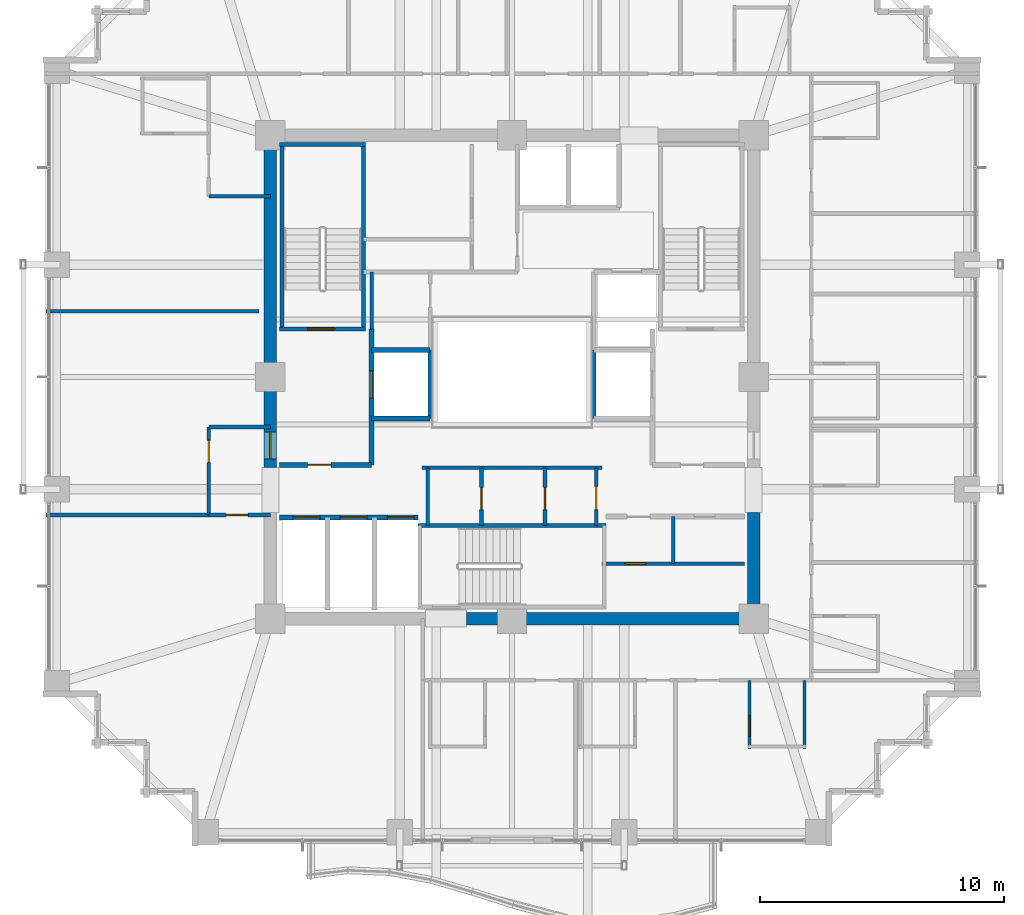
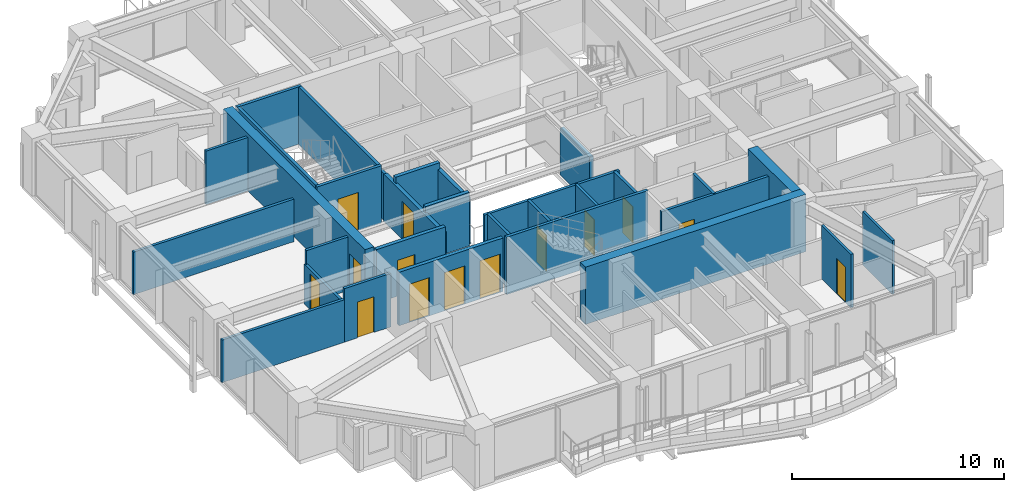
# One storey, part 28 of 34: 31 walls, 14 doors, 14 openings.
"""IFC4 building model written with IfcOpenShell, lengths in metres."""

from ifc_helpers import new_model, si_unit, direction, frame, frame_2d, origin, place, context, subcontext, project, spatial, rectangle, extrude, material, layer, layer_set, type_object, element, fill, save


model = new_model("IFC4")

# Units and contexts
model_context = context("Model", 3, precision=1e-05, world=origin(), true_north=direction((0.0, 1.0)))
body_context = subcontext(model_context, "Body", "Model", "MODEL_VIEW")
ifc_project = project(units=[si_unit("LENGTHUNIT", "METRE"), si_unit("AREAUNIT", "SQUARE_METRE"), si_unit("VOLUMEUNIT", "CUBIC_METRE"), si_unit("PLANEANGLEUNIT", "RADIAN"), si_unit("MASSUNIT", "GRAM", prefix="KILO")], contexts=[model_context])

# Site, building, storey
site_placement = place(None, origin())
site = spatial("IfcSite", under=ifc_project, at=site_placement, CompositionType="ELEMENT")
building_placement = place(site_placement, origin())
building = spatial("IfcBuilding", under=site, at=building_placement, Name="Kolvaren Belvedere", CompositionType="ELEMENT")
storey_placement = place(building_placement, frame((0.0, 0.0, 111.800048828125)))
storey = spatial("IfcBuildingStorey", under=building, at=storey_placement, Name="L32", CompositionType="ELEMENT", Elevation=111.800048828125)

# Walls
ifc_material_1 = material(Name="Concrete C50/60", Category="concrete")
ifc_layer_1 = layer(ifc_material_1, 0.5)
ifc_layer_set_1 = layer_set([ifc_layer_1], Name="Concrete C50/60")
wall_type_1 = type_object("IfcWallType", Name="CW-CORE-500", PredefinedType="SHEAR", material=ifc_layer_set_1)
wall_1_placement = place(storey_placement, frame((10.14990234375, -9.89990234375, 0.0), z_axis=(0.0, 0.0, 1.0), x_axis=(-1.0, 0.0, 0.0)))
element("IfcWall", 1, at=wall_1_placement, inside=storey, type_object=wall_type_1, Name="L32 South Core Shear Wall 1", PredefinedType="SHEAR", context=body_context, shape_type="SweptSolid", body=[
    extrude(rectangle(XDim=12.010009765625, YDim=0.5, at=frame_2d((6.0048828125, 0.0))), origin(), (0.0, 0.0, 1.0), 3.300048828125),
])
wall_2_placement = place(storey_placement, frame((9.89990234375, -9.64990234375, 0.0), z_axis=(0.0, 0.0, 1.0), x_axis=(0.0, 1.0, 0.0)))
element("IfcWall", 2, at=wall_2_placement, inside=storey, type_object=wall_type_1, Name="L32 East Core Shear Wall 1", PredefinedType="SHEAR", context=body_context, shape_type="SweptSolid", body=[
    extrude(rectangle(XDim=4.099853515625, YDim=0.5, at=frame_2d((2.0498046875, 0.0))), origin(), (0.0, 0.0, 1.0), 3.300048828125),
])

# Wall, opening, door
wall_3_placement = place(storey_placement, frame((-9.89990234375, -3.699951171875, 0.0), z_axis=(0.0, 0.0, 1.0), x_axis=(0.0, 1.0, 0.0)))
wall_3 = element("IfcWall", 3, at=wall_3_placement, inside=storey, type_object=wall_type_1, Name="L32 West Core Shear Wall 2", PredefinedType="SHEAR", context=body_context, shape_type="SweptSolid", body=[
    extrude(rectangle(XDim=13.349853515625, YDim=0.5, at=frame_2d((6.6748046875, 0.0))), origin(), (0.0, 0.0, 1.0), 3.300048828125),
])
opening_1_placement = place(wall_3_placement, frame((0.35009765625, 0.0, 0.0)))
opening_1 = element("IfcOpeningElement", 4, at=opening_1_placement, cuts=wall_3, Name="Opening D-FD90", PredefinedType="OPENING", context=body_context, shape_type="SweptSolid", body=[
    extrude(rectangle(XDim=1.10009765625, YDim=2.199951171875, at=frame_2d((0.550048828125, 1.10009765625))), frame((0.0, 0.260009765625, 0.0), z_axis=(0.0, -1.0, 0.0), x_axis=(1.0, 0.0, 0.0)), (0.0, 0.0, 1.0), 0.52001953125),
])
ifc_material_2 = material(Name="Painted hollow stainless steel", Category="steel")
door_type_1 = type_object("IfcDoorType", Name="DR-FD90-1100", OperationType="NOTDEFINED", PredefinedType="DOOR", material=ifc_material_2)
door_1_placement = place(opening_1_placement, origin())
door_1 = element("IfcDoor", 5, at=door_1_placement, inside=storey, type_object=door_type_1, Name="L32 West Firefighting Lobby Fire Door", OperationType="SINGLE_SWING_LEFT", OverallHeight=2.199951171875, OverallWidth=1.10009765625, PredefinedType="DOOR", context=body_context, shape_type="SweptSolid", body=[
    extrude(rectangle(XDim=1.10009765625, YDim=2.199951171875, at=frame_2d((0.550048828125, 1.10009765625))), frame((0.0, 0.02490234375, 0.0), z_axis=(0.0, -1.0, 0.0), x_axis=(1.0, 0.0, 0.0)), (0.0, 0.0, 1.0), 0.050048828125),
])
fill(opening_1, door_1)

ifc_material_3 = material(Name="Concrete C50/60", Category="concrete")
ifc_layer_2 = layer(ifc_material_3, 0.159912109375)
ifc_layer_set_2 = layer_set([ifc_layer_2], Name="Concrete C50/60")
wall_type_2 = type_object("IfcWallType", Name="CW-STAIR-160", PredefinedType="SHEAR", material=ifc_layer_set_2)
wall_4_placement = place(storey_placement, frame((-9.52001953125, 1.969970703125, 0.0), z_axis=(0.0, 0.0, 1.0), x_axis=(1.0, 0.0, 0.0)))
wall_4 = element("IfcWall", 6, at=wall_4_placement, inside=storey, type_object=wall_type_2, Name="L32 Stair ST-1 South Shear Wall", PredefinedType="SHEAR", context=body_context, shape_type="SweptSolid", body=[
    extrude(rectangle(XDim=3.52001953125, YDim=0.159912109375, at=frame_2d((1.760009765625, 0.0))), origin(), (0.0, 0.0, 1.0), 3.300048828125),
])
opening_2_placement = place(wall_4_placement, frame((1.14990234375, 0.0, 0.0)))
opening_2 = element("IfcOpeningElement", 7, at=opening_2_placement, cuts=wall_4, Name="Opening D-FD90", PredefinedType="OPENING", context=body_context, shape_type="SweptSolid", body=[
    extrude(rectangle(XDim=1.10009765625, YDim=2.199951171875, at=frame_2d((0.550048828125, 1.10009765625))), frame((0.0, 0.08984375, 0.0), z_axis=(0.0, -1.0, 0.0), x_axis=(1.0, 0.0, 0.0)), (0.0, 0.0, 1.0), 0.179931640625),
])
door_2_placement = place(opening_2_placement, origin())
door_2 = element("IfcDoor", 8, at=door_2_placement, inside=storey, type_object=door_type_1, Name="L32 Stair ST-1 Fire Door", OperationType="SINGLE_SWING_LEFT", OverallHeight=2.199951171875, OverallWidth=1.10009765625, PredefinedType="DOOR", context=body_context, shape_type="SweptSolid", body=[
    extrude(rectangle(XDim=1.10009765625, YDim=2.199951171875, at=frame_2d((0.550048828125, 1.10009765625))), frame((0.0, 0.02490234375, 0.0), z_axis=(0.0, -1.0, 0.0), x_axis=(1.0, 0.0, 0.0)), (0.0, 0.0, 1.0), 0.050048828125),
])
fill(opening_2, door_2)

# Walls
wall_5_placement = place(storey_placement, frame((-9.52001953125, 9.530029296875, 0.0), z_axis=(0.0, 0.0, 1.0), x_axis=(1.0, 0.0, 0.0)))
element("IfcWall", 9, at=wall_5_placement, inside=storey, type_object=wall_type_2, Name="L32 Stair ST-1 North Shear Wall", PredefinedType="SHEAR", context=body_context, shape_type="SweptSolid", body=[
    extrude(rectangle(XDim=3.52001953125, YDim=0.159912109375, at=frame_2d((1.760009765625, 0.0))), origin(), (0.0, 0.0, 1.0), 3.300048828125),
])
for number, where, z_axis, x_axis, name in (
    (10, (-9.429931640625, 1.969970703125, 0.0), (0.0, 0.0, 1.0), (0.0, 1.0, 0.0), "L32 Stair ST-1 West Shear Wall"),
    (11, (-6.080078125, 1.969970703125, 0.0), (0.0, 0.0, 1.0), (0.0, 1.0, 0.0), "L32 Stair ST-1 East Shear Wall"),
):
    element("IfcWall", number, at=place(storey_placement, frame(where, z_axis=z_axis, x_axis=x_axis)), inside=storey, type_object=wall_type_2, Name=name, PredefinedType="SHEAR", context=body_context, shape_type="SweptSolid", body=[
        extrude(rectangle(XDim=7.56005859375, YDim=0.159912109375, at=frame_2d((3.780029296875, 0.0))), origin(), (0.0, 0.0, 1.0), 3.300048828125),
    ])
wall_6_placement = place(storey_placement, frame((-3.860107421875, -6.080078125, 0.0), z_axis=(0.0, 0.0, 1.0), x_axis=(1.0, 0.0, 0.0)))
element("IfcWall", 12, at=wall_6_placement, inside=storey, type_object=wall_type_2, Name="L32 Stair ST-3 North Shear Wall", PredefinedType="SHEAR", context=body_context, shape_type="SweptSolid", body=[
    extrude(rectangle(XDim=7.72021484375, YDim=0.159912109375, at=frame_2d((3.860107421875, 0.0))), origin(), (0.0, 0.0, 1.0), 3.300048828125),
])
ifc_material_4 = material(Name="Gypsum fire-rated partition assembly", Category="gypsum")
ifc_layer_3 = layer(ifc_material_4, 0.14990234375)
ifc_layer_set_3 = layer_set([ifc_layer_3], Name="Gypsum fire-rated partition assembly")
wall_type_3 = type_object("IfcWallType", Name="WL-CORR-150", PredefinedType="PARTITIONING", material=ifc_layer_set_3)
wall_7_placement = place(storey_placement, frame((-12.419921875, 7.39990234375, 0.0), z_axis=(0.0, 0.0, 1.0), x_axis=(1.0, 0.0, 0.0)))
element("IfcWall", 13, at=wall_7_placement, inside=storey, type_object=wall_type_3, Name="L32 NW Core Closure Wall", PredefinedType="PARTITIONING", context=body_context, shape_type="SweptSolid", body=[
    extrude(rectangle(XDim=2.52001953125, YDim=0.14990234375, at=frame_2d((1.260009765625, 0.0))), origin(), (0.0, 0.0, 1.0), 3.079833984375),
])

# Wall, opening, door
wall_8_placement = place(storey_placement, frame((-12.419921875, -5.64990234375, 0.0), z_axis=(0.0, 0.0, 1.0), x_axis=(0.0, 1.0, 0.0)))
wall_8 = element("IfcWall", 14, at=wall_8_placement, inside=storey, type_object=wall_type_3, Name="L32 West FSAE Pocket Wall", PredefinedType="PARTITIONING", context=body_context, shape_type="SweptSolid", body=[
    extrude(rectangle(XDim=3.599853515625, YDim=0.14990234375, at=frame_2d((1.7998046875, 0.0))), origin(), (0.0, 0.0, 1.0), 2.2919921875),
])
opening_3_placement = place(wall_8_placement, frame((2.15625, 0.0, 0.0)))
opening_3 = element("IfcOpeningElement", 15, at=opening_3_placement, cuts=wall_8, Name="Opening D-INT90", PredefinedType="OPENING", context=body_context, shape_type="SweptSolid", body=[
    extrude(rectangle(XDim=0.89990234375, YDim=2.06005859375, at=frame_2d((0.449951171875, 1.030029296875))), frame((0.0, 0.0849609375, 0.0), z_axis=(0.0, -1.0, 0.0), x_axis=(1.0, 0.0, 0.0)), (0.0, 0.0, 1.0), 0.169921875),
])
ifc_material_5 = material(Name="Stained Pacific white oak", Category="timber")
door_type_2 = type_object("IfcDoorType", Name="DR-INT-900", OperationType="NOTDEFINED", PredefinedType="DOOR", material=ifc_material_5)
door_3_placement = place(opening_3_placement, origin())
door_3 = element("IfcDoor", 16, at=door_3_placement, inside=storey, type_object=door_type_2, Name="L32 Lounge 3211 Door", OperationType="SINGLE_SWING_LEFT", OverallHeight=2.06005859375, OverallWidth=0.89990234375, PredefinedType="DOOR", context=body_context, shape_type="SweptSolid", body=[
    extrude(rectangle(XDim=0.89990234375, YDim=2.06005859375, at=frame_2d((0.449951171875, 1.030029296875))), frame((0.0, 0.02490234375, 0.0), z_axis=(0.0, -1.0, 0.0), x_axis=(1.0, 0.0, 0.0)), (0.0, 0.0, 1.0), 0.050048828125),
])
fill(opening_3, door_3)

# Wall
wall_9_placement = place(storey_placement, frame((-12.419921875, -2.050048828125, 0.0), z_axis=(0.0, 0.0, 1.0), x_axis=(1.0, 0.0, 0.0)))
element("IfcWall", 17, at=wall_9_placement, inside=storey, type_object=wall_type_3, Name="L32 West Pocket North Closure Wall", PredefinedType="PARTITIONING", context=body_context, shape_type="SweptSolid", body=[
    extrude(rectangle(XDim=2.52001953125, YDim=0.14990234375, at=frame_2d((1.260009765625, 0.0))), origin(), (0.0, 0.0, 1.0), 3.079833984375),
])

# Wall, opening, door
wall_10_placement = place(storey_placement, frame((-12.419921875, -5.64990234375, 0.0), z_axis=(0.0, 0.0, 1.0), x_axis=(1.0, 0.0, 0.0)))
wall_10 = element("IfcWall", 18, at=wall_10_placement, inside=storey, type_object=wall_type_3, Name="L32 West Pocket South Closure Wall", PredefinedType="PARTITIONING", context=body_context, shape_type="SweptSolid", body=[
    extrude(rectangle(XDim=2.52001953125, YDim=0.14990234375, at=frame_2d((1.260009765625, 0.0))), origin(), (0.0, 0.0, 1.0), 3.079833984375),
])
opening_4_placement = place(wall_10_placement, frame((0.705078125, 0.0, 0.0)))
opening_4 = element("IfcOpeningElement", 19, at=opening_4_placement, cuts=wall_10, Name="Opening D-INT90", PredefinedType="OPENING", context=body_context, shape_type="SweptSolid", body=[
    extrude(rectangle(XDim=0.89990234375, YDim=2.06005859375, at=frame_2d((0.449951171875, 1.030029296875))), frame((0.0, 0.0849609375, 0.0), z_axis=(0.0, -1.0, 0.0), x_axis=(1.0, 0.0, 0.0)), (0.0, 0.0, 1.0), 0.169921875),
])
door_4_placement = place(opening_4_placement, origin())
door_4 = element("IfcDoor", 20, at=door_4_placement, inside=storey, type_object=door_type_2, Name="L32 Lounge 3212 Door", OperationType="SINGLE_SWING_RIGHT", OverallHeight=2.06005859375, OverallWidth=0.89990234375, PredefinedType="DOOR", context=body_context, shape_type="SweptSolid", body=[
    extrude(rectangle(XDim=0.89990234375, YDim=2.06005859375, at=frame_2d((0.449951171875, 1.030029296875))), frame((0.0, 0.02490234375, 0.0), z_axis=(0.0, -1.0, 0.0), x_axis=(1.0, 0.0, 0.0)), (0.0, 0.0, 1.0), 0.050048828125),
])
fill(opening_4, door_4)

ifc_material_6 = material(Name="Gypsum acoustic partition assembly", Category="gypsum")
ifc_layer_4 = layer(ifc_material_6, 0.14990234375)
ifc_layer_set_4 = layer_set([ifc_layer_4], Name="Gypsum acoustic partition assembly")
wall_type_4 = type_object("IfcWallType", Name="WL-PART-150", PredefinedType="PARTITIONING", material=ifc_layer_set_4)
wall_11_placement = place(storey_placement, frame((3.679931640625, -7.64990234375, 0.0), z_axis=(0.0, 0.0, 1.0), x_axis=(1.0, 0.0, 0.0)))
wall_11 = element("IfcWall", 21, at=wall_11_placement, inside=storey, type_object=wall_type_4, Name="L32 SE Core H-Divider", PredefinedType="PARTITIONING", context=body_context, shape_type="SweptSolid", body=[
    extrude(rectangle(XDim=5.840087890625, YDim=0.14990234375, at=frame_2d((2.919921875, 0.0))), origin(), (0.0, 0.0, 1.0), 3.079833984375),
])
opening_5_placement = place(wall_11_placement, frame((0.949951171875, 0.0, 0.0)))
opening_5 = element("IfcOpeningElement", 22, at=opening_5_placement, cuts=wall_11, Name="Opening D-INT85", PredefinedType="OPENING", context=body_context, shape_type="SweptSolid", body=[
    extrude(rectangle(XDim=0.85009765625, YDim=2.030029296875, at=frame_2d((0.425048828125, 1.01513671875))), frame((0.0, 0.0849609375, 0.0), z_axis=(0.0, -1.0, 0.0), x_axis=(1.0, 0.0, 0.0)), (0.0, 0.0, 1.0), 0.169921875),
])
ifc_material_7 = material(Name="Stained Pacific white oak", Category="timber")
door_type_3 = type_object("IfcDoorType", Name="DR-INT-850", OperationType="NOTDEFINED", PredefinedType="DOOR", material=ifc_material_7)
door_5_placement = place(opening_5_placement, origin())
door_5 = element("IfcDoor", 23, at=door_5_placement, inside=storey, type_object=door_type_3, Name="L32 SE Fibre Door", OperationType="SINGLE_SWING_RIGHT", OverallHeight=2.030029296875, OverallWidth=0.85009765625, PredefinedType="DOOR", context=body_context, shape_type="SweptSolid", body=[
    extrude(rectangle(XDim=0.85009765625, YDim=2.030029296875, at=frame_2d((0.425048828125, 1.01513671875))), frame((0.0, 0.02490234375, 0.0), z_axis=(0.0, -1.0, 0.0), x_axis=(1.0, 0.0, 0.0)), (0.0, 0.0, 1.0), 0.050048828125),
])
fill(opening_5, door_5)

# Walls
wall_12_placement = place(storey_placement, frame((6.60009765625, -7.64990234375, 0.0), z_axis=(0.0, 0.0, 1.0), x_axis=(0.0, 1.0, 0.0)))
element("IfcWall", 24, at=wall_12_placement, inside=storey, type_object=wall_type_4, Name="L32 SE Core V-Divider", PredefinedType="PARTITIONING", context=body_context, shape_type="SweptSolid", body=[
    extrude(rectangle(XDim=1.929931640625, YDim=0.14990234375, at=frame_2d((0.96484375, 0.0))), origin(), (0.0, 0.0, 1.0), 3.079833984375),
])
wall_13_placement = place(storey_placement, frame((-3.679931640625, -3.719970703125, 0.0), z_axis=(0.0, 0.0, 1.0), x_axis=(1.0, 0.0, 0.0)))
element("IfcWall", 25, at=wall_13_placement, inside=storey, type_object=wall_type_4, Name="L32 South Core Service North Wall", PredefinedType="PARTITIONING", context=body_context, shape_type="SweptSolid", body=[
    extrude(rectangle(XDim=7.35986328125, YDim=0.14990234375, at=frame_2d((3.679931640625, 0.0))), origin(), (0.0, 0.0, 1.0), 3.079833984375),
])

# Wall, opening, door
wall_14_placement = place(storey_placement, frame((3.449951171875, -6.080078125, 0.0), z_axis=(0.0, 0.0, 1.0), x_axis=(0.0, 1.0, 0.0)))
wall_14 = element("IfcWall", 26, at=wall_14_placement, inside=storey, type_object=wall_type_4, Name="L32 South Core Service East Wall", PredefinedType="PARTITIONING", context=body_context, shape_type="SweptSolid", body=[
    extrude(rectangle(XDim=2.360107421875, YDim=0.14990234375, at=frame_2d((1.18017578125, 0.0))), origin(), (0.0, 0.0, 1.0), 3.079833984375),
])
opening_6_placement = place(wall_14_placement, frame((0.64990234375, 0.0, 0.0)))
opening_6 = element("IfcOpeningElement", 27, at=opening_6_placement, cuts=wall_14, Name="Opening D-FD60", PredefinedType="OPENING", context=body_context, shape_type="SweptSolid", body=[
    extrude(rectangle(XDim=0.949951171875, YDim=2.06005859375, at=frame_2d((0.47509765625, 1.030029296875))), frame((0.0, 0.0849609375, 0.0), z_axis=(0.0, -1.0, 0.0), x_axis=(1.0, 0.0, 0.0)), (0.0, 0.0, 1.0), 0.169921875),
])
ifc_material_8 = material(Name="Acoustic white-oak fire door leaf", Category="timber")
door_type_4 = type_object("IfcDoorType", Name="DR-FD60-950", OperationType="NOTDEFINED", PredefinedType="DOOR", material=ifc_material_8)
door_6_placement = place(opening_6_placement, origin())
door_6 = element("IfcDoor", 28, at=door_6_placement, inside=storey, type_object=door_type_4, Name="L32 Core Service Room Door", OperationType="SINGLE_SWING_LEFT", OverallHeight=2.06005859375, OverallWidth=0.949951171875, PredefinedType="DOOR", context=body_context, shape_type="SweptSolid", body=[
    extrude(rectangle(XDim=0.949951171875, YDim=2.06005859375, at=frame_2d((0.47509765625, 1.030029296875))), frame((0.0, 0.02490234375, 0.0), z_axis=(0.0, -1.0, 0.0), x_axis=(1.0, 0.0, 0.0)), (0.0, 0.0, 1.0), 0.050048828125),
])
fill(opening_6, door_6)

# Wall
wall_15_placement = place(storey_placement, frame((-3.449951171875, -6.080078125, 0.0), z_axis=(0.0, 0.0, 1.0), x_axis=(0.0, 1.0, 0.0)))
element("IfcWall", 29, at=wall_15_placement, inside=storey, type_object=wall_type_4, Name="L32 South Core Service West Wall", PredefinedType="PARTITIONING", context=body_context, shape_type="SweptSolid", body=[
    extrude(rectangle(XDim=2.360107421875, YDim=0.14990234375, at=frame_2d((1.18017578125, 0.0))), origin(), (0.0, 0.0, 1.0), 3.079833984375),
])

# Wall, opening, door
wall_16_placement = place(storey_placement, frame((1.35009765625, -6.080078125, 0.0), z_axis=(0.0, 0.0, 1.0), x_axis=(0.0, 1.0, 0.0)))
wall_16 = element("IfcWall", 30, at=wall_16_placement, inside=storey, type_object=wall_type_4, Name="L32 Core Service Divider 1", PredefinedType="PARTITIONING", context=body_context, shape_type="SweptSolid", body=[
    extrude(rectangle(XDim=2.360107421875, YDim=0.14990234375, at=frame_2d((1.18017578125, 0.0))), origin(), (0.0, 0.0, 1.0), 3.079833984375),
])
opening_7_placement = place(wall_16_placement, frame((0.64990234375, 0.0, 0.0)))
opening_7 = element("IfcOpeningElement", 31, at=opening_7_placement, cuts=wall_16, Name="Opening D-INT90", PredefinedType="OPENING", context=body_context, shape_type="SweptSolid", body=[
    extrude(rectangle(XDim=0.89990234375, YDim=2.06005859375, at=frame_2d((0.449951171875, 1.030029296875))), frame((0.0, 0.0849609375, 0.0), z_axis=(0.0, -1.0, 0.0), x_axis=(1.0, 0.0, 0.0)), (0.0, 0.0, 1.0), 0.169921875),
])
door_7_placement = place(opening_7_placement, origin())
door_7 = element("IfcDoor", 32, at=door_7_placement, inside=storey, type_object=door_type_2, Name="L32 Data Closet Door", OperationType="SINGLE_SWING_RIGHT", OverallHeight=2.06005859375, OverallWidth=0.89990234375, PredefinedType="DOOR", context=body_context, shape_type="SweptSolid", body=[
    extrude(rectangle(XDim=0.89990234375, YDim=2.06005859375, at=frame_2d((0.449951171875, 1.030029296875))), frame((0.0, 0.02490234375, 0.0), z_axis=(0.0, -1.0, 0.0), x_axis=(1.0, 0.0, 0.0)), (0.0, 0.0, 1.0), 0.050048828125),
])
fill(opening_7, door_7)

wall_17_placement = place(storey_placement, frame((-1.25, -6.080078125, 0.0), z_axis=(0.0, 0.0, 1.0), x_axis=(0.0, 1.0, 0.0)))
wall_17 = element("IfcWall", 33, at=wall_17_placement, inside=storey, type_object=wall_type_4, Name="L32 Core Service Divider 2", PredefinedType="PARTITIONING", context=body_context, shape_type="SweptSolid", body=[
    extrude(rectangle(XDim=2.360107421875, YDim=0.14990234375, at=frame_2d((1.18017578125, 0.0))), origin(), (0.0, 0.0, 1.0), 3.079833984375),
])
opening_8_placement = place(wall_17_placement, frame((0.64990234375, 0.0, 0.0)))
opening_8 = element("IfcOpeningElement", 34, at=opening_8_placement, cuts=wall_17, Name="Opening D-INT90", PredefinedType="OPENING", context=body_context, shape_type="SweptSolid", body=[
    extrude(rectangle(XDim=0.89990234375, YDim=2.06005859375, at=frame_2d((0.449951171875, 1.030029296875))), frame((0.0, 0.0849609375, 0.0), z_axis=(0.0, -1.0, 0.0), x_axis=(1.0, 0.0, 0.0)), (0.0, 0.0, 1.0), 0.169921875),
])
door_8_placement = place(opening_8_placement, origin())
door_8 = element("IfcDoor", 35, at=door_8_placement, inside=storey, type_object=door_type_2, Name="L32 Janitor Room Door", OperationType="SINGLE_SWING_LEFT", OverallHeight=2.06005859375, OverallWidth=0.89990234375, PredefinedType="DOOR", context=body_context, shape_type="SweptSolid", body=[
    extrude(rectangle(XDim=0.89990234375, YDim=2.06005859375, at=frame_2d((0.449951171875, 1.030029296875))), frame((0.0, 0.02490234375, 0.0), z_axis=(0.0, -1.0, 0.0), x_axis=(1.0, 0.0, 0.0)), (0.0, 0.0, 1.0), 0.050048828125),
])
fill(opening_8, door_8)

# Walls
wall_18_placement = place(storey_placement, frame((-5.75, 1.969970703125, 0.0), z_axis=(0.0, 0.0, 1.0), x_axis=(0.0, 1.0, 0.0)))
element("IfcWall", 36, at=wall_18_placement, inside=storey, type_object=wall_type_4, Name="L32 NW Service Room West Wall", PredefinedType="PARTITIONING", context=body_context, shape_type="SweptSolid", body=[
    extrude(rectangle(XDim=2.330078125, YDim=0.14990234375, at=frame_2d((1.1650390625, 0.0))), origin(), (0.0, 0.0, 1.0), 2.71484375),
])
wall_19_placement = place(storey_placement, frame((-19.080078125, 2.699951171875, 0.0), z_axis=(0.0, 0.0, 1.0), x_axis=(1.0, 0.0, 0.0)))
element("IfcWall", 37, at=wall_19_placement, inside=storey, type_object=wall_type_4, Name="L32 West Upper Suite Divider", PredefinedType="PARTITIONING", context=body_context, shape_type="SweptSolid", body=[
    extrude(rectangle(XDim=8.719970703125, YDim=0.14990234375, at=frame_2d((4.35986328125, 0.0))), origin(), (0.0, 0.0, 1.0), 2.448974609375),
])
wall_20_placement = place(storey_placement, frame((-19.080078125, -5.64990234375, 0.0), z_axis=(0.0, 0.0, 1.0), x_axis=(1.0, 0.0, 0.0)))
element("IfcWall", 38, at=wall_20_placement, inside=storey, type_object=wall_type_4, Name="L32 West Mid Suite South Wall", PredefinedType="PARTITIONING", context=body_context, shape_type="SweptSolid", body=[
    extrude(rectangle(XDim=6.66015625, YDim=0.14990234375, at=frame_2d((3.330078125, 0.0))), origin(), (0.0, 0.0, 1.0), 2.448974609375),
])

# Wall, opening, door
ifc_material_9 = material(Name="Concrete C50/60", Category="concrete")
ifc_layer_5 = layer(ifc_material_9, 0.199951171875)
ifc_layer_set_5 = layer_set([ifc_layer_5], Name="Concrete C50/60")
wall_type_5 = type_object("IfcWallType", Name="WL-SHAFT-200", PredefinedType="SOLIDWALL", material=ifc_layer_set_5)
wall_21_placement = place(storey_placement, frame((-9.52001953125, -3.60009765625, 0.0), z_axis=(0.0, 0.0, 1.0), x_axis=(1.0, 0.0, 0.0)))
wall_21 = element("IfcWall", 39, at=wall_21_placement, inside=storey, type_object=wall_type_5, Name="L32 West FSAE Lobby South Wall", PredefinedType="SOLIDWALL", context=body_context, shape_type="SweptSolid", body=[
    extrude(rectangle(XDim=3.77001953125, YDim=0.199951171875, at=frame_2d((1.885009765625, 0.0))), origin(), (0.0, 0.0, 1.0), 3.079833984375),
])
opening_9_placement = place(wall_21_placement, frame((1.14990234375, 0.0, 0.0)))
opening_9 = element("IfcOpeningElement", 40, at=opening_9_placement, cuts=wall_21, Name="Opening D-FD60", PredefinedType="OPENING", context=body_context, shape_type="SweptSolid", body=[
    extrude(rectangle(XDim=0.949951171875, YDim=2.06005859375, at=frame_2d((0.47509765625, 1.030029296875))), frame((0.0, 0.10986328125, 0.0), z_axis=(0.0, -1.0, 0.0), x_axis=(1.0, 0.0, 0.0)), (0.0, 0.0, 1.0), 0.219970703125),
])
door_9_placement = place(opening_9_placement, origin())
door_9 = element("IfcDoor", 41, at=door_9_placement, inside=storey, type_object=door_type_4, Name="L32 Mid-Rise Lift Lobby Fire Door", OperationType="SINGLE_SWING_LEFT", OverallHeight=2.06005859375, OverallWidth=0.949951171875, PredefinedType="DOOR", context=body_context, shape_type="SweptSolid", body=[
    extrude(rectangle(XDim=0.949951171875, YDim=2.06005859375, at=frame_2d((0.47509765625, 1.030029296875))), frame((0.0, 0.02490234375, 0.0), z_axis=(0.0, -1.0, 0.0), x_axis=(1.0, 0.0, 0.0)), (0.0, 0.0, 1.0), 0.050048828125),
])
fill(opening_9, door_9)

wall_22_placement = place(storey_placement, frame((-5.75, -3.60009765625, 0.0), z_axis=(0.0, 0.0, 1.0), x_axis=(0.0, 1.0, 0.0)))
wall_22 = element("IfcWall", 42, at=wall_22_placement, inside=storey, type_object=wall_type_5, Name="L32 FSAE FS1 Landing Wall", PredefinedType="SOLIDWALL", context=body_context, shape_type="SweptSolid", body=[
    extrude(rectangle(XDim=5.570068359375, YDim=0.199951171875, at=frame_2d((2.78515625, 0.0))), origin(), (0.0, 0.0, 1.0), 2.71484375),
])
opening_10_placement = place(wall_22_placement, frame((2.75, 0.0, 0.0)))
opening_10 = element("IfcOpeningElement", 43, at=opening_10_placement, cuts=wall_22, Name="Opening LD-11", PredefinedType="OPENING", context=body_context, shape_type="SweptSolid", body=[
    extrude(rectangle(XDim=1.10009765625, YDim=2.199951171875, at=frame_2d((0.550048828125, 1.10009765625))), frame((0.0, 0.10986328125, 0.0), z_axis=(0.0, -1.0, 0.0), x_axis=(1.0, 0.0, 0.0)), (0.0, 0.0, 1.0), 0.219970703125),
])
ifc_material_10 = material(Name="Brushed stainless steel", Category="steel")
door_type_5 = type_object("IfcDoorType", Name="DR-LIFT-1100", OperationType="DOUBLE_DOOR_SLIDING", PredefinedType="DOOR", material=ifc_material_10)
door_10_placement = place(opening_10_placement, origin())
door_10 = element("IfcDoor", 44, at=door_10_placement, inside=storey, type_object=door_type_5, Name="L32 Firefighting Lift FS1 Landing Door", OperationType="DOUBLE_DOOR_SLIDING", OverallHeight=2.199951171875, OverallWidth=1.10009765625, PredefinedType="DOOR", context=body_context, shape_type="SweptSolid", body=[
    extrude(rectangle(XDim=1.10009765625, YDim=2.199951171875, at=frame_2d((0.550048828125, 1.10009765625))), frame((0.0, 0.02490234375, 0.0), z_axis=(0.0, -1.0, 0.0), x_axis=(1.0, 0.0, 0.0)), (0.0, 0.0, 1.0), 0.050048828125),
])
fill(opening_10, door_10)

# Walls
wall_23_placement = place(storey_placement, frame((-3.35009765625, -1.699951171875, 0.0), z_axis=(0.0, 0.0, 1.0), x_axis=(0.0, 1.0, 0.0)))
element("IfcWall", 45, at=wall_23_placement, inside=storey, type_object=wall_type_5, Name="L32 FSAE FS1 Back Wall", PredefinedType="SOLIDWALL", context=body_context, shape_type="SweptSolid", body=[
    extrude(rectangle(XDim=2.800048828125, YDim=0.199951171875, at=frame_2d((1.39990234375, 0.0))), origin(), (0.0, 0.0, 1.0), 2.71484375),
])
for number, where, z_axis, x_axis, name in (
    (46, (-5.75, -1.699951171875, 0.0), (0.0, 0.0, 1.0), (1.0, 0.0, 0.0), "L32 FSAE FS1 South Wall"),
    (47, (-5.75, 1.10009765625, 0.0), (0.0, 0.0, 1.0), (1.0, 0.0, 0.0), "L32 FSAE FS1 North Wall"),
):
    element("IfcWall", number, at=place(storey_placement, frame(where, z_axis=z_axis, x_axis=x_axis)), inside=storey, type_object=wall_type_5, Name=name, PredefinedType="SOLIDWALL", context=body_context, shape_type="SweptSolid", body=[
        extrude(rectangle(XDim=2.39990234375, YDim=0.199951171875, at=frame_2d((1.199951171875, 0.0))), origin(), (0.0, 0.0, 1.0), 3.079833984375),
    ])
wall_24_placement = place(storey_placement, frame((3.35009765625, -1.699951171875, 0.0), z_axis=(0.0, 0.0, 1.0), x_axis=(0.0, 1.0, 0.0)))
element("IfcWall", 48, at=wall_24_placement, inside=storey, type_object=wall_type_5, Name="L32 FSAE FS2 Back Wall", PredefinedType="SOLIDWALL", context=body_context, shape_type="SweptSolid", body=[
    extrude(rectangle(XDim=2.800048828125, YDim=0.199951171875, at=frame_2d((1.39990234375, 0.0))), origin(), (0.0, 0.0, 1.0), 2.71484375),
])

# Wall, openings, doors
wall_25_placement = place(storey_placement, frame((-9.52001953125, -5.75, 0.0), z_axis=(0.0, 0.0, 1.0), x_axis=(1.0, 0.0, 0.0)))
wall_25 = element("IfcWall", 49, at=wall_25_placement, inside=storey, type_object=wall_type_5, Name="L32 Mid-Rise Lift Bank Front Wall", PredefinedType="SOLIDWALL", context=body_context, shape_type="SweptSolid", body=[
    extrude(rectangle(XDim=5.659912109375, YDim=0.199951171875, at=frame_2d((2.830078125, 0.0))), origin(), (0.0, 0.0, 1.0), 3.079833984375),
])
opening_11_placement = place(wall_25_placement, frame((0.550048828125, 0.0, 0.0)))
opening_11 = element("IfcOpeningElement", 50, at=opening_11_placement, cuts=wall_25, Name="Opening LD-11", PredefinedType="OPENING", context=body_context, shape_type="SweptSolid", body=[
    extrude(rectangle(XDim=1.10009765625, YDim=2.199951171875, at=frame_2d((0.550048828125, 1.10009765625))), frame((0.0, 0.10986328125, 0.0), z_axis=(0.0, -1.0, 0.0), x_axis=(1.0, 0.0, 0.0)), (0.0, 0.0, 1.0), 0.219970703125),
])
opening_12_placement = place(wall_25_placement, frame((2.47998046875, 0.0, 0.0)))
opening_12 = element("IfcOpeningElement", 51, at=opening_12_placement, cuts=wall_25, Name="Opening LD-11", PredefinedType="OPENING", context=body_context, shape_type="SweptSolid", body=[
    extrude(rectangle(XDim=1.10009765625, YDim=2.199951171875, at=frame_2d((0.550048828125, 1.10009765625))), frame((0.0, 0.10986328125, 0.0), z_axis=(0.0, -1.0, 0.0), x_axis=(1.0, 0.0, 0.0)), (0.0, 0.0, 1.0), 0.219970703125),
])
opening_13_placement = place(wall_25_placement, frame((4.409912109375, 0.0, 0.0)))
opening_13 = element("IfcOpeningElement", 52, at=opening_13_placement, cuts=wall_25, Name="Opening LD-11", PredefinedType="OPENING", context=body_context, shape_type="SweptSolid", body=[
    extrude(rectangle(XDim=1.10009765625, YDim=2.199951171875, at=frame_2d((0.550048828125, 1.10009765625))), frame((0.0, 0.10986328125, 0.0), z_axis=(0.0, -1.0, 0.0), x_axis=(1.0, 0.0, 0.0)), (0.0, 0.0, 1.0), 0.219970703125),
])
door_11_placement = place(opening_11_placement, origin())
door_11 = element("IfcDoor", 53, at=door_11_placement, inside=storey, type_object=door_type_5, Name="L32 Passenger Lift P4 Landing Door", OperationType="DOUBLE_DOOR_SLIDING", OverallHeight=2.199951171875, OverallWidth=1.10009765625, PredefinedType="DOOR", context=body_context, shape_type="SweptSolid", body=[
    extrude(rectangle(XDim=1.10009765625, YDim=2.199951171875, at=frame_2d((0.550048828125, 1.10009765625))), frame((0.0, 0.02490234375, 0.0), z_axis=(0.0, -1.0, 0.0), x_axis=(1.0, 0.0, 0.0)), (0.0, 0.0, 1.0), 0.050048828125),
])
fill(opening_11, door_11)
door_12_placement = place(opening_12_placement, origin())
door_12 = element("IfcDoor", 54, at=door_12_placement, inside=storey, type_object=door_type_5, Name="L32 Passenger Lift P5 Landing Door", OperationType="DOUBLE_DOOR_SLIDING", OverallHeight=2.199951171875, OverallWidth=1.10009765625, PredefinedType="DOOR", context=body_context, shape_type="SweptSolid", body=[
    extrude(rectangle(XDim=1.10009765625, YDim=2.199951171875, at=frame_2d((0.550048828125, 1.10009765625))), frame((0.0, 0.02490234375, 0.0), z_axis=(0.0, -1.0, 0.0), x_axis=(1.0, 0.0, 0.0)), (0.0, 0.0, 1.0), 0.050048828125),
])
fill(opening_12, door_12)
door_13_placement = place(opening_13_placement, origin())
door_13 = element("IfcDoor", 55, at=door_13_placement, inside=storey, type_object=door_type_5, Name="L32 Passenger Lift P6 Landing Door", OperationType="DOUBLE_DOOR_SLIDING", OverallHeight=2.199951171875, OverallWidth=1.10009765625, PredefinedType="DOOR", context=body_context, shape_type="SweptSolid", body=[
    extrude(rectangle(XDim=1.10009765625, YDim=2.199951171875, at=frame_2d((0.550048828125, 1.10009765625))), frame((0.0, 0.02490234375, 0.0), z_axis=(0.0, -1.0, 0.0), x_axis=(1.0, 0.0, 0.0)), (0.0, 0.0, 1.0), 0.050048828125),
])
fill(opening_13, door_13)

# Wall, opening, door
ifc_material_11 = material(Name="Moisture-resistant gypsum partition", Category="gypsum")
ifc_layer_6 = layer(ifc_material_11, 0.125)
ifc_layer_set_6 = layer_set([ifc_layer_6], Name="Moisture-resistant gypsum partition")
wall_type_6 = type_object("IfcWallType", Name="WL-WET-125", PredefinedType="PARTITIONING", material=ifc_layer_set_6)
wall_26_placement = place(storey_placement, frame((9.72412109375, -15.22509765625, 0.0), z_axis=(0.0, 0.0, 1.0), x_axis=(0.0, 1.0, 0.0)))
wall_26 = element("IfcWall", 56, at=wall_26_placement, inside=storey, type_object=wall_type_6, Name="L32 Bathroom Partition PW-L32-BTH-15-E", PredefinedType="PARTITIONING", context=body_context, shape_type="SweptSolid", body=[
    extrude(rectangle(XDim=2.7900390625, YDim=0.125, at=frame_2d((1.39501953125, 0.0))), origin(), (0.0, 0.0, 1.0), 3.079833984375),
])
opening_14_placement = place(wall_26_placement, frame((0.5, 0.0, 0.0)))
opening_14 = element("IfcOpeningElement", 57, at=opening_14_placement, cuts=wall_26, Name="Opening D-BTH85", PredefinedType="OPENING", context=body_context, shape_type="SweptSolid", body=[
    extrude(rectangle(XDim=0.85009765625, YDim=2.030029296875, at=frame_2d((0.425048828125, 1.01513671875))), frame((0.0, 0.072509765625, 0.0), z_axis=(0.0, -1.0, 0.0), x_axis=(1.0, 0.0, 0.0)), (0.0, 0.0, 1.0), 0.14501953125),
])
ifc_material_12 = material(Name="Moisture-sealed Pacific white oak", Category="timber")
door_type_6 = type_object("IfcDoorType", Name="DR-BATH-850", OperationType="NOTDEFINED", PredefinedType="DOOR", material=ifc_material_12)
door_14_placement = place(opening_14_placement, origin())
door_14 = element("IfcDoor", 58, at=door_14_placement, inside=storey, type_object=door_type_6, Name="L32 En-Suite Bathroom 3215 Door", OperationType="SINGLE_SWING_LEFT", OverallHeight=2.030029296875, OverallWidth=0.85009765625, PredefinedType="DOOR", context=body_context, shape_type="SweptSolid", body=[
    extrude(rectangle(XDim=0.85009765625, YDim=2.030029296875, at=frame_2d((0.425048828125, 1.01513671875))), frame((0.0, 0.02490234375, 0.0), z_axis=(0.0, -1.0, 0.0), x_axis=(1.0, 0.0, 0.0)), (0.0, 0.0, 1.0), 0.050048828125),
])
fill(opening_14, door_14)

# Wall
wall_27_placement = place(storey_placement, frame((11.97412109375, -15.22509765625, 0.0), z_axis=(0.0, 0.0, 1.0), x_axis=(0.0, 1.0, 0.0)))
element("IfcWall", 59, at=wall_27_placement, inside=storey, type_object=wall_type_6, Name="L32 Bathroom Partition PW-L32-BTH-15-W", PredefinedType="PARTITIONING", context=body_context, shape_type="SweptSolid", body=[
    extrude(rectangle(XDim=2.7900390625, YDim=0.125, at=frame_2d((1.39501953125, 0.0))), origin(), (0.0, 0.0, 1.0), 3.079833984375),
])

save(model, "model.ifc")
